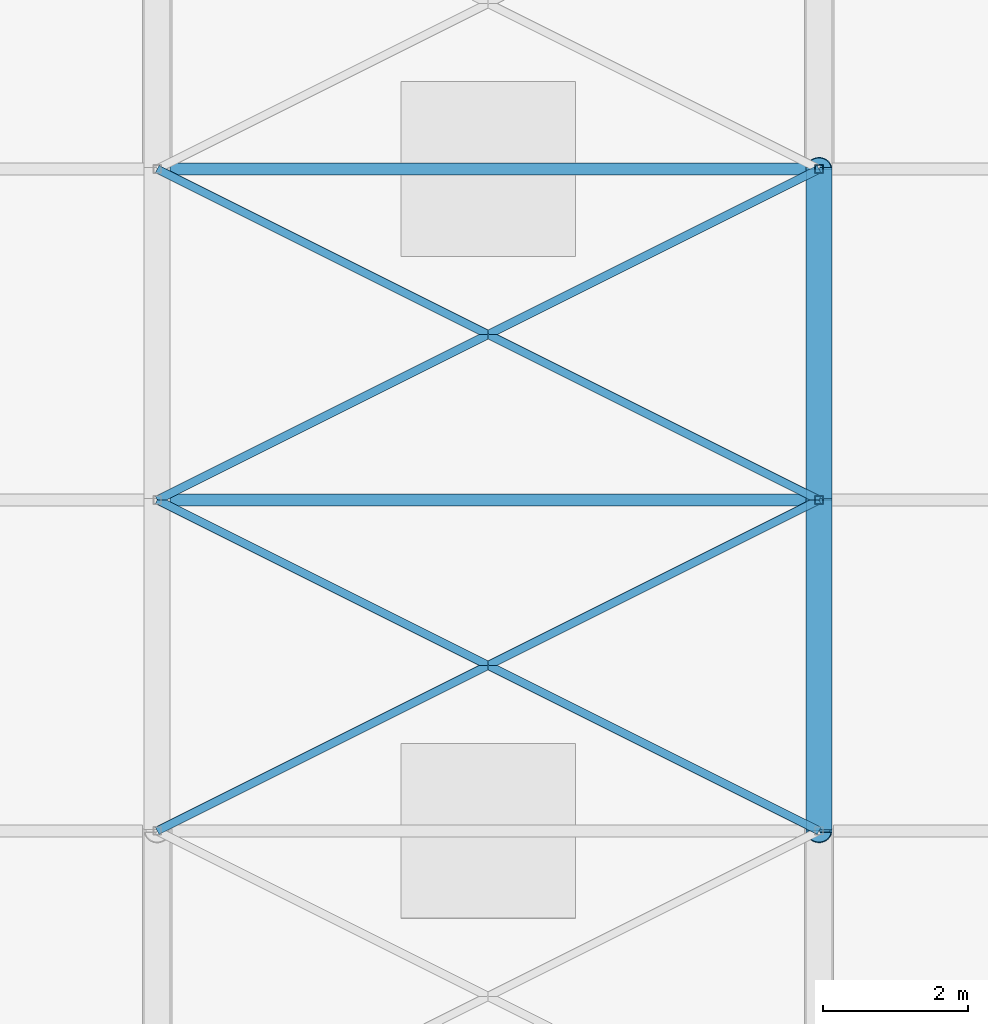
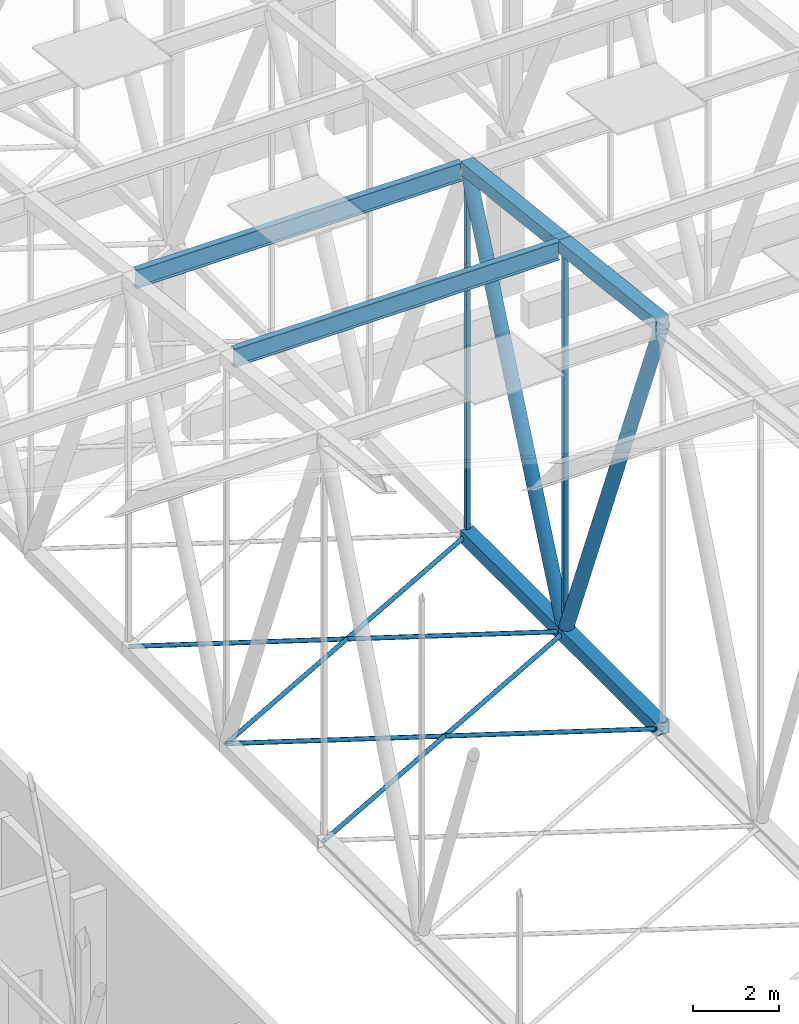
# One storey, part 217 of 500: 14 members.
"""IFC4 building model written with IfcOpenShell, lengths in metres."""

from ifc_helpers import new_model, si_unit, direction, frame, origin, origin_2d, place, context, subcontext, project, spatial, hollow_rectangle, hollow_circle, i_section, extrude, material, material_profile, profile_set, type_object, element, save


model = new_model("IFC4")

# Units and contexts
model_context = context("Model", 3, precision=1e-05, world=origin(), true_north=direction((0.0, 1.0)))
body_context = subcontext(model_context, "Body", "Model", "MODEL_VIEW")
ifc_project = project(units=[si_unit("LENGTHUNIT", "METRE"), si_unit("AREAUNIT", "SQUARE_METRE"), si_unit("VOLUMEUNIT", "CUBIC_METRE"), si_unit("PLANEANGLEUNIT", "RADIAN"), si_unit("MASSUNIT", "GRAM", prefix="KILO")], contexts=[model_context])

# Site, building, storey
site_placement = place(None, origin())
site = spatial("IfcSite", under=ifc_project, at=site_placement, CompositionType="ELEMENT")
building_placement = place(site_placement, origin())
building = spatial("IfcBuilding", under=site, at=building_placement, Name="Shirokan Park Arena", CompositionType="ELEMENT")
storey_placement = place(building_placement, frame((0.0, 0.0, 29.1201171875)))
storey = spatial("IfcBuildingStorey", under=building, at=storey_placement, Name="L06", CompositionType="ELEMENT", Elevation=29.1201171875)

# Members
ifc_material_1 = material(Name="Steel S355J2H", Category="steel")
ifc_material_profile_1 = material_profile(ifc_material_1, hollow_rectangle(XDim=0.35595703125, YDim=0.35595703125, WallThickness=0.025390625, at=origin_2d()), Name="HSS355.6X355.6X25.4")
ifc_profile_set_1 = profile_set([ifc_material_profile_1], Name="Steel S355J2H")
member_type_1 = type_object("IfcMemberType", Name="Bottom chord HSS355.6X355.6X25.4", PredefinedType="CHORD", material=ifc_profile_set_1)
member_1_placement = place(storey_placement, frame((54.60009765625, 77.35009765625, 4.677001953125), z_axis=(0.0, 1.0, 0.0), x_axis=(-1.0, 0.0, 0.0)))
element("IfcMember", 1, at=member_1_placement, inside=storey, type_object=member_type_1, Name="Truss T07 bottom chord 20", PredefinedType="CHORD", context=body_context, shape_type="SweptSolid", body=[
    extrude(hollow_rectangle(XDim=0.35595703125, YDim=0.35595703125, WallThickness=0.025390625, at=origin_2d()), origin(), (0.0, 0.0, 1.0), 4.5498046875),
])
member_2_placement = place(storey_placement, frame((54.60009765625, 81.89990234375, 4.677001953125), z_axis=(0.0, 1.0, 0.0), x_axis=(-1.0, 0.0, 0.0)))
element("IfcMember", 2, at=member_2_placement, inside=storey, type_object=member_type_1, Name="Truss T07 bottom chord 21", PredefinedType="CHORD", context=body_context, shape_type="SweptSolid", body=[
    extrude(hollow_rectangle(XDim=0.35595703125, YDim=0.35595703125, WallThickness=0.025390625, at=origin_2d()), origin(), (0.0, 0.0, 1.0), 4.550048828125),
])
ifc_material_2 = material(Name="Steel ASTM A500 Grade C", Category="steel")
ifc_material_profile_2 = material_profile(ifc_material_2, hollow_circle(Radius=0.056884765625, WallThickness=0.006103515625, at=origin_2d()), Name="HSS114.3X6")
ifc_profile_set_2 = profile_set([ifc_material_profile_2], Name="Steel ASTM A500 Grade C")
member_type_2 = type_object("IfcMemberType", Name="Plan bracing HSS114.3X6", PredefinedType="BRACE", material=ifc_profile_set_2)
for number, where, z_axis, x_axis, name in (
    (3, (45.5, 77.35009765625, 4.677001953125), (0.8944367893, 0.447194398385, 0.0), (-0.447194398385, 0.8944367893, 0.0), "Plan bracing bay 6 panel 20 A"),
    (4, (54.60009765625, 77.35009765625, 4.677001953125), (-0.8944367893, 0.447194398385, 0.0), (-0.447194398385, -0.8944367893, 0.0), "Plan bracing bay 6 panel 20 B"),
):
    element("IfcMember", number, at=place(storey_placement, frame(where, z_axis=z_axis, x_axis=x_axis)), inside=storey, type_object=member_type_2, Name=name, PredefinedType="BRACE", context=body_context, shape_type="SweptSolid", body=[
        extrude(hollow_circle(Radius=0.056884765625, WallThickness=0.006103515625, at=origin_2d()), origin(), (0.0, 0.0, 1.0), 10.174072265625),
    ])
for number, where, z_axis, x_axis, name in (
    (5, (45.5, 81.89990234375, 4.677001953125), (0.894427191, 0.4472135955, 0.0), (-0.4472135955, 0.894427191, 0.0), "Plan bracing bay 6 panel 21 A"),
    (6, (54.60009765625, 81.89990234375, 4.677001953125), (-0.894427191, 0.4472135955, 0.0), (-0.4472135955, -0.894427191, 0.0), "Plan bracing bay 6 panel 21 B"),
):
    element("IfcMember", number, at=place(storey_placement, frame(where, z_axis=z_axis, x_axis=x_axis)), inside=storey, type_object=member_type_2, Name=name, PredefinedType="BRACE", context=body_context, shape_type="SweptSolid", body=[
        extrude(hollow_circle(Radius=0.056884765625, WallThickness=0.006103515625, at=origin_2d()), origin(), (0.0, 0.0, 1.0), 10.17431640625),
    ])
ifc_material_3 = material(Name="Steel ASTM A992", Category="steel")
ifc_material_profile_3 = material_profile(ifc_material_3, i_section(OverallWidth=0.166015625, OverallDepth=0.528076171875, WebThickness=0.009765625, FlangeThickness=0.013671875, at=origin_2d()), Name="W530X74")
ifc_profile_set_3 = profile_set([ifc_material_profile_3], Name="Steel ASTM A992")
member_type_3 = type_object("IfcMemberType", Name="Purlin W530X74", PredefinedType="PURLIN", material=ifc_profile_set_3)
for number, where, z_axis, x_axis, name in (
    (7, (45.677978515625, 81.89990234375, 15.60595703125), (1.0, 0.0, 0.0), (0.0, 1.0, 0.0), "Purlin 21 bay 6"),
    (8, (45.677978515625, 86.449951171875, 15.0859375), (1.0, 0.0, 0.0), (0.0, 1.0, 0.0), "Purlin 22 bay 6"),
):
    element("IfcMember", number, at=place(storey_placement, frame(where, z_axis=z_axis, x_axis=x_axis)), inside=storey, type_object=member_type_3, Name=name, PredefinedType="PURLIN", context=body_context, shape_type="SweptSolid", body=[
        extrude(i_section(OverallWidth=0.166015625, OverallDepth=0.528076171875, WebThickness=0.009765625, FlangeThickness=0.013671875, at=origin_2d()), origin(), (0.0, 0.0, 1.0), 8.744140625),
    ])
ifc_material_profile_4 = material_profile(ifc_material_1, hollow_rectangle(XDim=0.35595703125, YDim=0.35595703125, WallThickness=0.025390625, at=origin_2d()), Name="HSS355.6X355.6X25.4")
ifc_profile_set_4 = profile_set([ifc_material_profile_4], Name="Steel S355J2H")
member_type_4 = type_object("IfcMemberType", Name="Top chord HSS355.6X355.6X25.4", PredefinedType="CHORD", material=ifc_profile_set_4)
member_3_placement = place(storey_placement, frame((54.60009765625, 77.35009765625, 16.181396484375), z_axis=(0.0, 0.993531641592, -0.11355561261), x_axis=(-1.0, 0.0, 0.0)))
element("IfcMember", 9, at=member_3_placement, inside=storey, type_object=member_type_4, Name="Truss T07 top chord 20", PredefinedType="CHORD", context=body_context, shape_type="SweptSolid", body=[
    extrude(hollow_rectangle(XDim=0.35595703125, YDim=0.35595703125, WallThickness=0.025390625, at=origin_2d()), origin(), (0.0, 0.0, 1.0), 4.579345703125),
])
member_4_placement = place(storey_placement, frame((54.60009765625, 81.89990234375, 15.661376953125), z_axis=(0.0, 0.993532328996, -0.113549598152), x_axis=(-1.0, 0.0, 0.0)))
element("IfcMember", 10, at=member_4_placement, inside=storey, type_object=member_type_4, Name="Truss T07 top chord 21", PredefinedType="CHORD", context=body_context, shape_type="SweptSolid", body=[
    extrude(hollow_rectangle(XDim=0.35595703125, YDim=0.35595703125, WallThickness=0.025390625, at=origin_2d()), origin(), (0.0, 0.0, 1.0), 4.57958984375),
])
ifc_material_profile_5 = material_profile(ifc_material_2, hollow_circle(Radius=0.177978515625, WallThickness=0.0126953125, at=origin_2d()), Name="HSS355.6X12.7")
ifc_profile_set_5 = profile_set([ifc_material_profile_5], Name="Steel ASTM A500 Grade C")
member_type_5 = type_object("IfcMemberType", Name="Truss diagonal HSS355.6X12.7", PredefinedType="BRACE", material=ifc_profile_set_5)
member_5_placement = place(storey_placement, frame((54.60009765625, 77.35009765625, 16.181396484375), z_axis=(0.0, 0.367767637573, -0.929917719346), x_axis=(-1.0, 0.0, 0.0)))
element("IfcMember", 11, at=member_5_placement, inside=storey, type_object=member_type_5, Name="Truss T07 diagonal 20", PredefinedType="BRACE", context=body_context, shape_type="SweptSolid", body=[
    extrude(hollow_circle(Radius=0.177978515625, WallThickness=0.0126953125, at=origin_2d()), origin(), (0.0, 0.0, 1.0), 12.371337890625),
])
member_6_placement = place(storey_placement, frame((54.60009765625, 81.89990234375, 4.677001953125), z_axis=(0.0, 0.398750364192, 0.917059511186), x_axis=(-1.0, 0.0, 0.0)))
element("IfcMember", 12, at=member_6_placement, inside=storey, type_object=member_type_5, Name="Truss T07 diagonal 21", PredefinedType="BRACE", context=body_context, shape_type="SweptSolid", body=[
    extrude(hollow_circle(Radius=0.177978515625, WallThickness=0.0126953125, at=origin_2d()), origin(), (0.0, 0.0, 1.0), 11.410888671875),
])
ifc_material_profile_6 = material_profile(ifc_material_2, hollow_rectangle(XDim=0.114013671875, YDim=0.114013671875, WallThickness=0.00634765625, at=origin_2d()), Name="HSS114.3X114.3X6.4")
ifc_profile_set_6 = profile_set([ifc_material_profile_6], Name="Steel ASTM A500 Grade C")
member_type_6 = type_object("IfcMemberType", Name="Truss post HSS114.3X114.3X6.4", PredefinedType="POST", material=ifc_profile_set_6)
member_7_placement = place(storey_placement, frame((54.60009765625, 81.89990234375, 4.677001953125), z_axis=(0.0, 0.0, 1.0), x_axis=(1.0, 0.0, 0.0)))
element("IfcMember", 13, at=member_7_placement, inside=storey, type_object=member_type_6, Name="Truss T07 post 21", PredefinedType="POST", context=body_context, shape_type="SweptSolid", body=[
    extrude(hollow_rectangle(XDim=0.114013671875, YDim=0.114013671875, WallThickness=0.00634765625, at=origin_2d()), origin(), (0.0, 0.0, 1.0), 10.984375),
])
member_8_placement = place(storey_placement, frame((54.60009765625, 86.449951171875, 4.677001953125), z_axis=(0.0, 0.0, 1.0), x_axis=(1.0, 0.0, 0.0)))
element("IfcMember", 14, at=member_8_placement, inside=storey, type_object=member_type_6, Name="Truss T07 post 22", PredefinedType="POST", context=body_context, shape_type="SweptSolid", body=[
    extrude(hollow_rectangle(XDim=0.114013671875, YDim=0.114013671875, WallThickness=0.00634765625, at=origin_2d()), origin(), (0.0, 0.0, 1.0), 10.46435546875),
])

save(model, "model.ifc")
